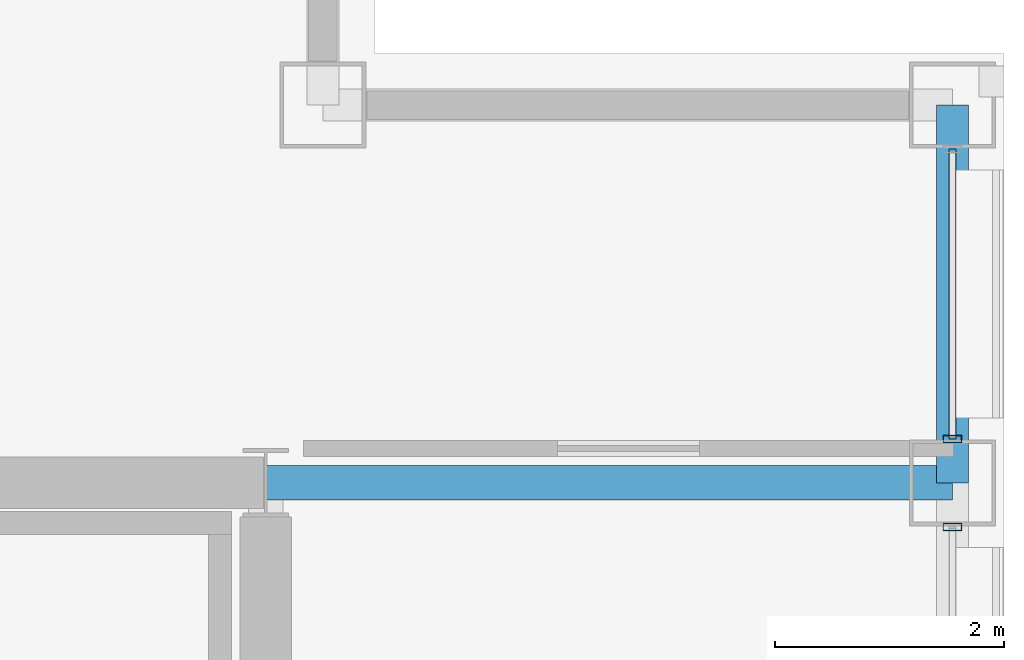
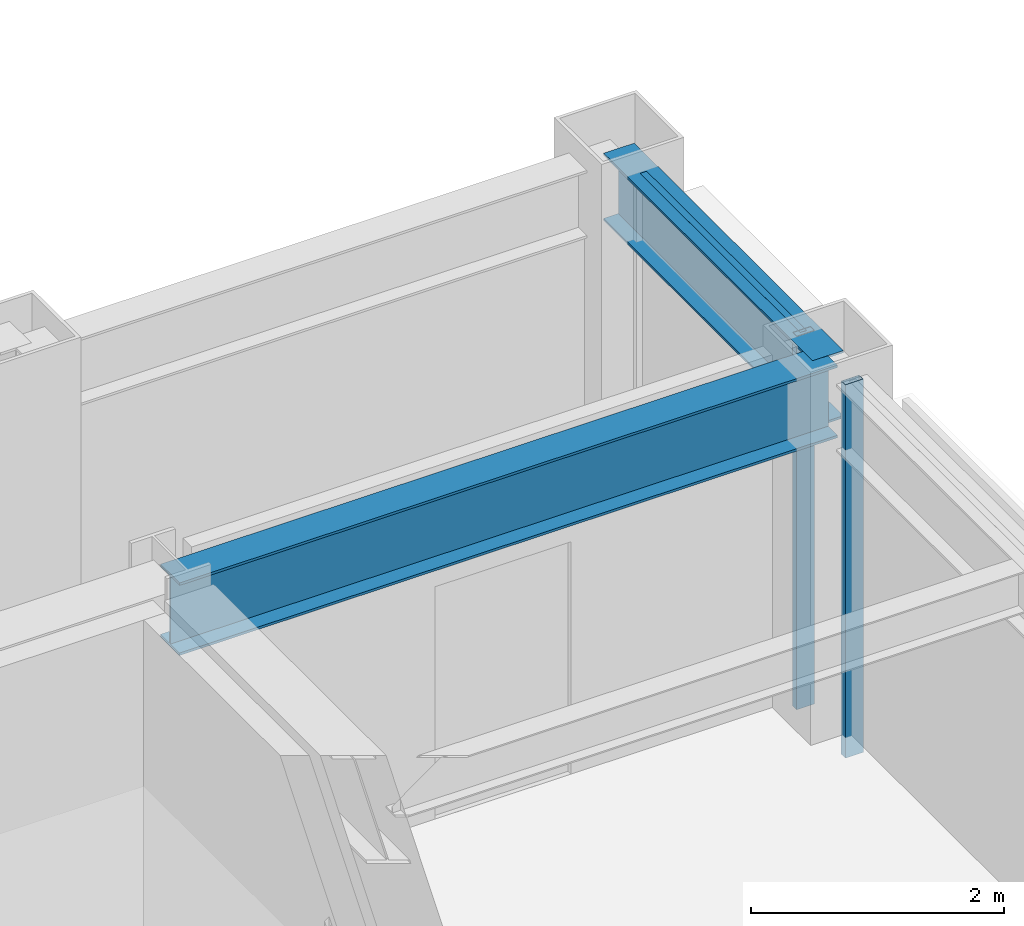
# One storey, part 17 of 28: 3 members, 2 beams, 2 elements without a shape of their own.
"""IFC4 building model written with IfcOpenShell, lengths in metres."""

from ifc_helpers import new_model, si_unit, direction, frame, origin, origin_2d, place, context, subcontext, project, spatial, hollow_rectangle, i_section, extrude, material, layer, layer_set, material_profile, profile_set, type_object, element, aggregate, save


model = new_model("IFC4")

# Units and contexts
model_context = context("Model", 3, precision=1e-05, world=origin(), true_north=direction((0.0, 1.0)))
body_context = subcontext(model_context, "Body", "Model", "MODEL_VIEW")
ifc_project = project(units=[si_unit("LENGTHUNIT", "METRE"), si_unit("AREAUNIT", "SQUARE_METRE"), si_unit("VOLUMEUNIT", "CUBIC_METRE"), si_unit("PLANEANGLEUNIT", "RADIAN"), si_unit("MASSUNIT", "GRAM", prefix="KILO")], contexts=[model_context])

# Site, building, storey
site_placement = place(None, origin())
site = spatial("IfcSite", under=ifc_project, at=site_placement, CompositionType="ELEMENT")
building_placement = place(site_placement, origin())
building = spatial("IfcBuilding", under=site, at=building_placement, Name="Brelmoor Portico Tower", CompositionType="ELEMENT")
storey_placement = place(building_placement, frame((0.0, 0.0, 155.10009765625)))
storey = spatial("IfcBuildingStorey", under=building, at=storey_placement, Name="L40", CompositionType="ELEMENT", Elevation=155.10009765625)

# Beams
ifc_material_1 = material(Name="Steel Q355B", Category="steel")
ifc_material_profile_1 = material_profile(ifc_material_1, i_section(OverallWidth=0.300048828125, OverallDepth=0.699951171875, WebThickness=0.012939453125, FlangeThickness=0.02392578125, at=origin_2d()), Name="HN 700x300x13x24")
ifc_profile_set_1 = profile_set([ifc_material_profile_1], Name="Steel Q355B")
beam_type_1 = type_object("IfcBeamType", Name="BM-PG-700", PredefinedType="BEAM", material=ifc_profile_set_1)
beam_1_placement = place(storey_placement, frame((14.550048828125, 9.75, 3.0498046875), z_axis=(1.0, 0.0, 0.0), x_axis=(0.0, 1.0, 0.0)))
element("IfcBeam", 1, at=beam_1_placement, inside=storey, type_object=beam_type_1, Name="L40 Primary Floor Girder PG-22", PredefinedType="BEAM", context=body_context, shape_type="SweptSolid", body=[
    extrude(i_section(OverallWidth=0.300048828125, OverallDepth=0.699951171875, WebThickness=0.012939453125, FlangeThickness=0.02392578125, at=origin_2d()), origin(), (0.0, 0.0, 1.0), 6.0),
])
ifc_material_profile_2 = material_profile(ifc_material_1, i_section(OverallWidth=0.280029296875, OverallDepth=0.64990234375, WebThickness=0.012939453125, FlangeThickness=0.02197265625, at=origin_2d()), Name="HN 650x280x13x22")
ifc_profile_set_2 = profile_set([ifc_material_profile_2], Name="Steel Q355B")
beam_type_2 = type_object("IfcBeamType", Name="BM-SP-650", PredefinedType="SPANDREL", material=ifc_profile_set_2)
beam_2_placement = place(storey_placement, frame((20.550048828125, 9.75, 3.074951171875), z_axis=(0.0, 1.0, 0.0), x_axis=(-1.0, 0.0, 0.0)))
element("IfcBeam", 2, at=beam_2_placement, inside=storey, type_object=beam_type_2, Name="L40 Perimeter Spandrel Beam SP-20", PredefinedType="SPANDREL", context=body_context, shape_type="SweptSolid", body=[
    extrude(i_section(OverallWidth=0.280029296875, OverallDepth=0.64990234375, WebThickness=0.012939453125, FlangeThickness=0.02197265625, at=origin_2d()), origin(), (0.0, 0.0, 1.0), 3.300048828125),
])

# Curtain wall, member
ifc_material_2 = material(Name="Anodised Aluminium Alloy 6063-T6", Category="aluminium")
ifc_layer = layer(ifc_material_2, 0.179931640625)
ifc_layer_set = layer_set([ifc_layer], Name="Anodised Aluminium Alloy 6063-T6")
curtain_wall_type = type_object("IfcCurtainWallType", Name="CW-TOWER-Z3-XB", PredefinedType="NOTDEFINED", material=ifc_layer_set)
curtain_wall_1_placement = place(storey_placement, origin())
curtain_wall_1 = element("IfcCurtainWall", 3, at=curtain_wall_1_placement, inside=storey, type_object=curtain_wall_type, Name="L40 Curtain Wall CW-L40-04-2", PredefinedType="NOTDEFINED")
ifc_material_profile_3 = material_profile(ifc_material_2, hollow_rectangle(XDim=0.06494140625, YDim=0.1650390625, WallThickness=0.00390625, at=origin_2d()), Name="ALU MULLION 65x165")
ifc_profile_set_3 = profile_set([ifc_material_profile_3], Name="Anodised Aluminium Alloy 6063-T6")
member_type_1 = type_object("IfcMemberType", Name="MB-CW-MULL-165", PredefinedType="MULLION", material=ifc_profile_set_3)
member_1_placement = place(storey_placement, frame((20.550048828125, 9.364990234375, -0.2001953125), z_axis=(0.0, 0.0, 1.0), x_axis=(0.0, 1.0, 0.0)))
member_1 = element("IfcMember", 4, at=member_1_placement, type_object=member_type_1, Name="CW-L40-04-2 Mullion 02", PredefinedType="MULLION", context=body_context, shape_type="SweptSolid", body=[
    extrude(hollow_rectangle(XDim=0.06494140625, YDim=0.1650390625, WallThickness=0.00390625, at=origin_2d()), origin(), (0.0, 0.0, 1.0), 3.60009765625),
])
aggregate(curtain_wall_1, [member_1])

# Curtain wall, members
curtain_wall_2_placement = place(storey_placement, origin())
curtain_wall_2 = element("IfcCurtainWall", 5, at=curtain_wall_2_placement, inside=storey, type_object=curtain_wall_type, Name="L40 Curtain Wall CW-L40-04-3", PredefinedType="NOTDEFINED")
member_2_placement = place(storey_placement, frame((20.550048828125, 10.135009765625, -0.2001953125), z_axis=(0.0, 0.0, 1.0), x_axis=(0.0, 1.0, 0.0)))
member_2 = element("IfcMember", 6, at=member_2_placement, type_object=member_type_1, Name="CW-L40-04-3 Mullion 00", PredefinedType="MULLION", context=body_context, shape_type="SweptSolid", body=[
    extrude(hollow_rectangle(XDim=0.06494140625, YDim=0.1650390625, WallThickness=0.00390625, at=origin_2d()), origin(), (0.0, 0.0, 1.0), 3.60009765625),
])
ifc_material_profile_4 = material_profile(ifc_material_2, hollow_rectangle(XDim=0.06005859375, YDim=0.125, WallThickness=0.00341796875, at=origin_2d()), Name="ALU TRANSOM 60x125")
ifc_profile_set_4 = profile_set([ifc_material_profile_4], Name="Anodised Aluminium Alloy 6063-T6")
member_type_2 = type_object("IfcMemberType", Name="MB-CW-TRAN-125", PredefinedType="USERDEFINED", material=ifc_profile_set_4)
member_3_placement = place(storey_placement, frame((20.550048828125, 10.135009765625, 3.33740234375), z_axis=(0.0, 1.0, 0.0), x_axis=(-1.0, 0.0, 0.0)))
member_3 = element("IfcMember", 7, at=member_3_placement, type_object=member_type_2, Name="CW-L40-04-3 Transom 1-00", ObjectType="TRANSOM", PredefinedType="USERDEFINED", context=body_context, shape_type="SweptSolid", body=[
    extrude(hollow_rectangle(XDim=0.06005859375, YDim=0.125, WallThickness=0.00341796875, at=origin_2d()), origin(), (0.0, 0.0, 1.0), 2.530029296875),
])
aggregate(curtain_wall_2, [member_2, member_3])

save(model, "model.ifc")
